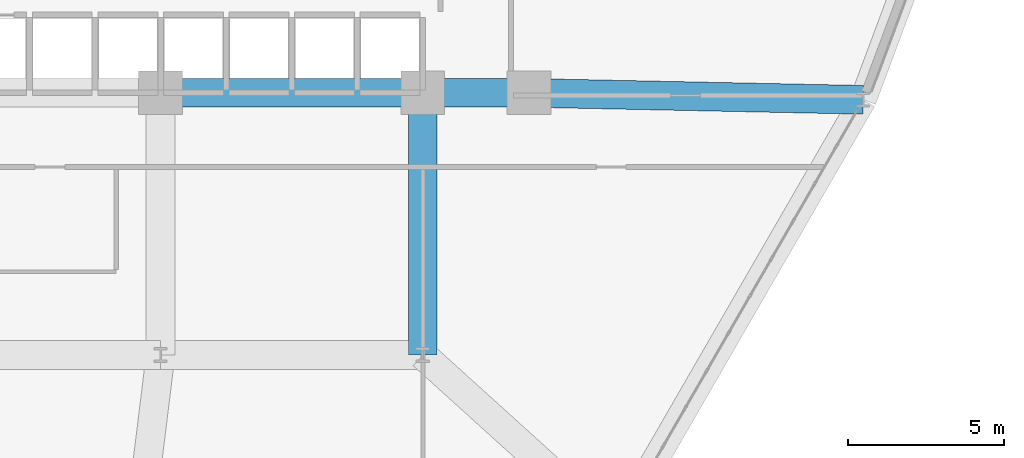
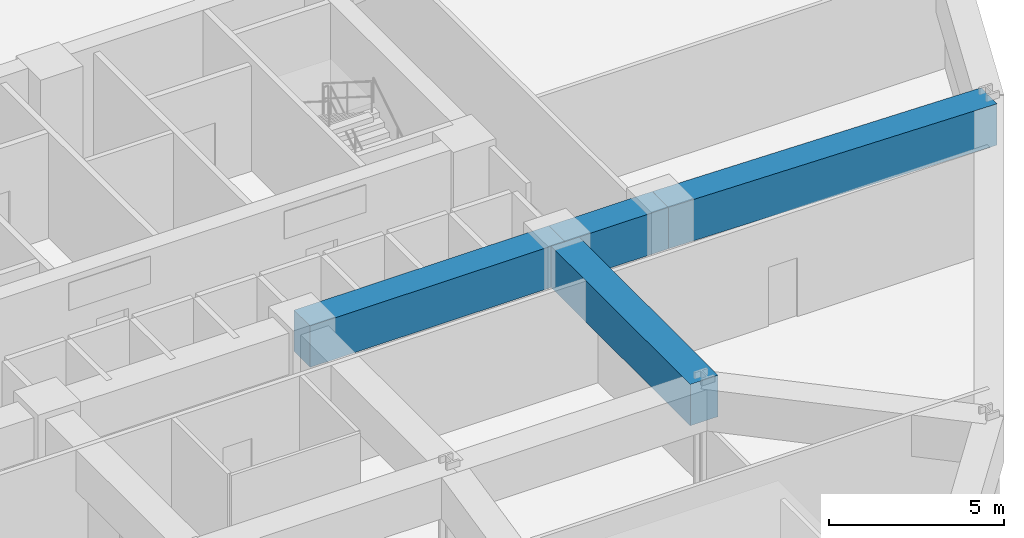
# One storey, part 8 of 20: 4 beams.
"""IFC4 building model written with IfcOpenShell, lengths in metres."""

from ifc_helpers import new_model, si_unit, derived_unit, direction, frame, origin, origin_2d, place, context, subcontext, project, spatial, rectangle, extrude, source, transform, mapped, material, material_profile, profile_set, type_object, element, save


model = new_model("IFC4")

# Units and contexts
model_context = context("Model", 3, precision=1e-05, world=origin(), true_north=direction((0.0, 1.0)))
body_context = subcontext(model_context, "Body", "Model", "MODEL_VIEW")
ifc_project = project(units=[si_unit("LENGTHUNIT", "METRE"), si_unit("AREAUNIT", "SQUARE_METRE"), si_unit("VOLUMEUNIT", "CUBIC_METRE"), si_unit("PLANEANGLEUNIT", "RADIAN"), si_unit("MASSUNIT", "GRAM", prefix="KILO"), derived_unit("THERMALTRANSMITTANCEUNIT", [(si_unit("POWERUNIT", "WATT"), 1), (si_unit("LENGTHUNIT", "METRE"), -2), (si_unit("THERMODYNAMICTEMPERATUREUNIT", "KELVIN"), -1)])], contexts=[model_context])

# Site, building, storey
site_placement = place(None, origin())
site = spatial("IfcSite", under=ifc_project, at=site_placement, CompositionType="ELEMENT")
building_placement = place(site_placement, origin())
building = spatial("IfcBuilding", under=site, at=building_placement, Name="Korsvarv Bourse and Concert Hall", CompositionType="ELEMENT")
storey_placement = place(building_placement, frame((0.0, 0.0, 39.60009765625)))
storey = spatial("IfcBuildingStorey", under=building, at=storey_placement, Name="L09", CompositionType="ELEMENT", Elevation=39.60009765625)

# Beams
ifc_material = material(Name="Concrete C50/60", Category="concrete")
ifc_material_profile = material_profile(ifc_material, rectangle(XDim=0.919921875, YDim=1.43994140625, at=origin_2d()), Name="RC-BM 920x1440")
ifc_profile_set = profile_set([ifc_material_profile], Name="Concrete C50/60")
beam_type = type_object("IfcBeamType", Name="BM-TR-144", PredefinedType="BEAM", material=ifc_profile_set)
shared_shape_1 = source(origin(), body_context, "Body", "SweptSolid", [
    extrude(rectangle(XDim=0.919921875, YDim=1.43994140625, at=origin_2d()), origin(), (0.0, 0.0, 1.0), 3.400146484375),
])
beam_1_placement = place(storey_placement, frame((44.39990234375, 32.39990234375, 2.9599609375), z_axis=(1.0, 0.0, 0.0), x_axis=(0.0, 1.0, 0.0)))
element("IfcBeam", 1, at=beam_1_placement, inside=storey, type_object=beam_type, Name="L09 beam B-TR4", PredefinedType="BEAM", context=body_context, shape_type="MappedRepresentation", body=[
    mapped(shared_shape_1, transform((0.0, 0.0, 0.0), scale=1.0)),
])
shared_shape_2 = source(origin(), body_context, "Body", "SweptSolid", [
    extrude(rectangle(XDim=0.919921875, YDim=1.43994140625, at=origin_2d()), origin(), (0.0, 0.0, 1.0), 8.39990234375),
])
for number, where, z_axis, x_axis, name in (
    (2, (36.0, 32.39990234375, 2.9599609375), (1.0, 0.0, 0.0), (0.0, 1.0, 0.0), "L09 beam B-TR4"),
    (3, (44.39990234375, 24.0, 2.9599609375), (0.0, 1.0, 0.0), (-1.0, 0.0, 0.0), "L09 beam B-TR4"),
):
    element("IfcBeam", number, at=place(storey_placement, frame(where, z_axis=z_axis, x_axis=x_axis)), inside=storey, type_object=beam_type, Name=name, PredefinedType="BEAM", context=body_context, shape_type="MappedRepresentation", body=[
        mapped(shared_shape_2, transform((0.0, 0.0, 0.0), scale=1.0)),
    ])
shared_shape_3 = source(origin(), body_context, "Body", "SweptSolid", [
    extrude(rectangle(XDim=0.919921875, YDim=1.43994140625, at=origin_2d()), origin(), (0.0, 0.0, 1.0), 10.707275390625),
])
beam_2_placement = place(storey_placement, frame((58.5048828125, 32.176513671875, 2.9599609375), z_axis=(-0.999782333994, 0.020863476078, 0.0), x_axis=(-0.020863476078, -0.999782333994, 0.0)))
element("IfcBeam", 4, at=beam_2_placement, inside=storey, type_object=beam_type, Name="L09 beam B-TR4", PredefinedType="BEAM", context=body_context, shape_type="MappedRepresentation", body=[
    mapped(shared_shape_3, transform((0.0, 0.0, 0.0), scale=1.0)),
])

save(model, "model.ifc")
